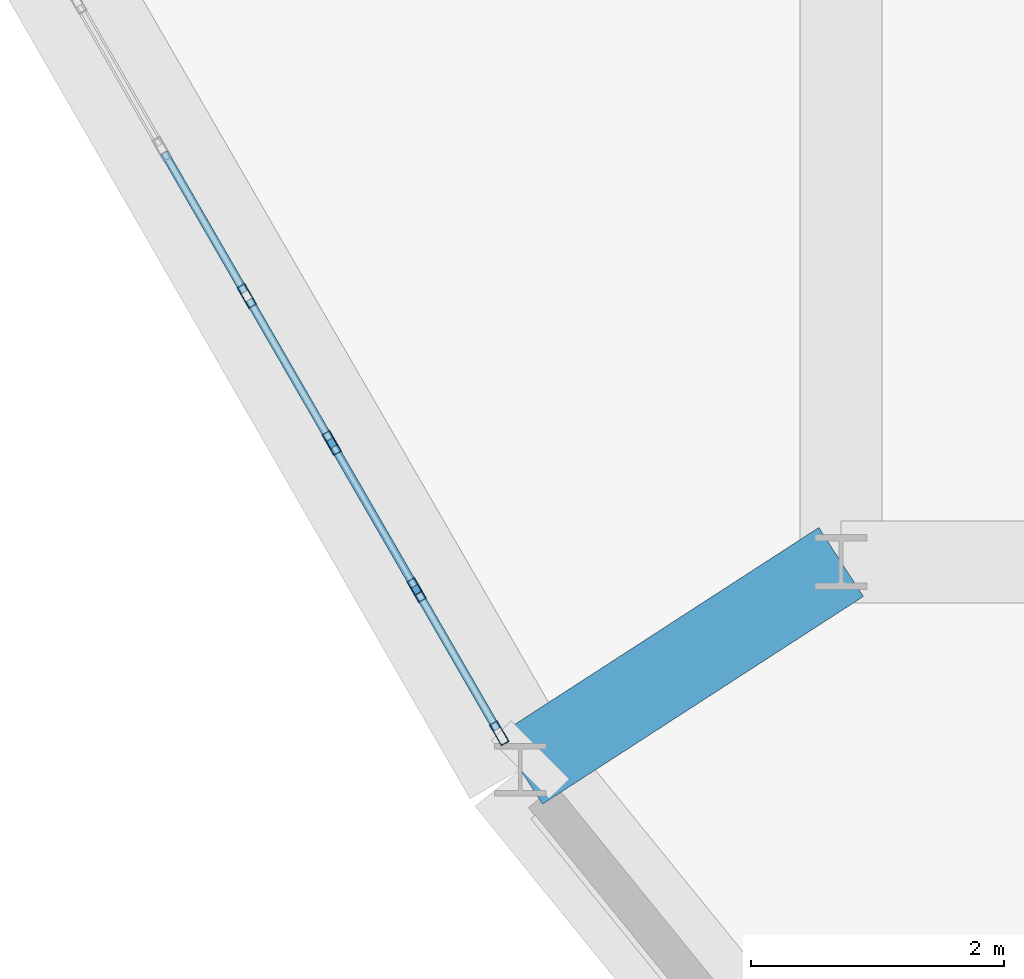
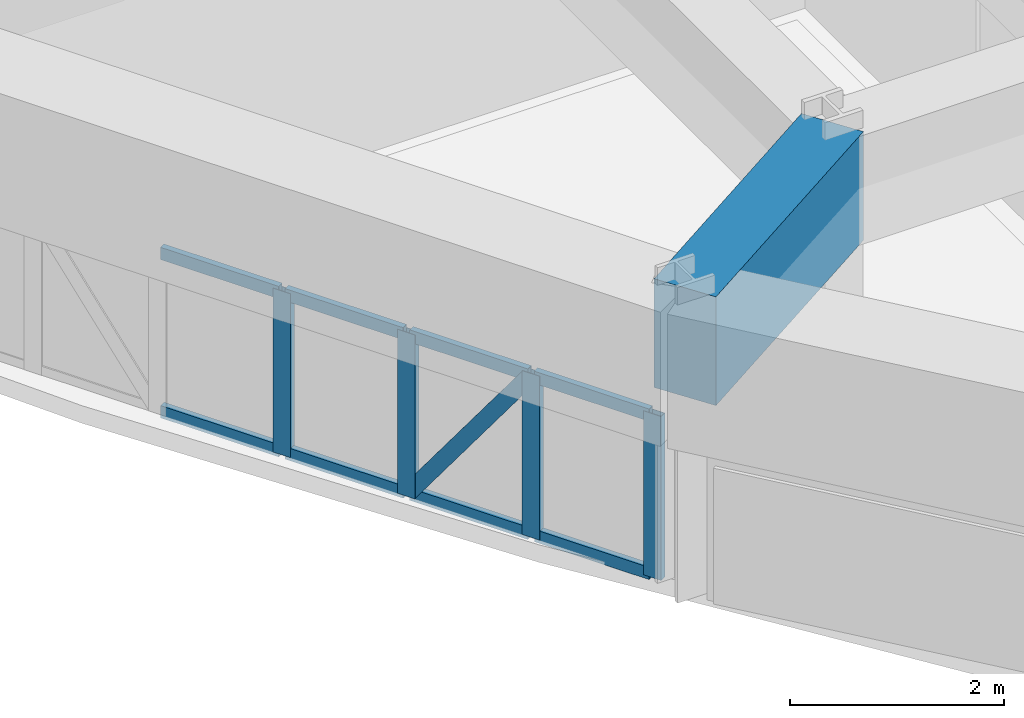
# One storey, part 2 of 14: 13 members, 1 beam, 1 element without a shape of its own.
"""IFC4 building model written with IfcOpenShell, lengths in metres."""

import ifcopenshell
import ifcopenshell.guid

model = None  # the IFC model being written
_history = None  # IfcOwnerHistory: only IFC2X3 demands one
_inside = {}  # id of a spatial element -> (the spatial element, [elements in it])
_under = {}  # id of a project, library or spatial element -> (it, [spatial elements below it])
_declared = {}  # id of a project -> (the project, [libraries it declares])
_typed = {}  # id of a type object -> (the type object, [elements of that type])
_made_of = {}  # id of a material, layer set ... -> (it, [elements and type objects made of it])


def new_model(schema):
    """Start an empty IFC model of exactly this schema.

    Asked for "IFC4X3", IfcOpenShell would pick the latest addendum, in which some entities
    have other attributes; the version numbers below select the first issue.
    IFC2X3 requires an IfcOwnerHistory on every rooted entity: one is made here for all.
    """
    global model, _history
    if schema == "IFC4X3":
        model = ifcopenshell.file(schema_version=(4, 3, 0, 0))
    else:
        model = ifcopenshell.file(schema=schema)
    _inside.clear()
    _under.clear()
    _declared.clear()
    _typed.clear()
    _made_of.clear()
    _history = None
    if model.schema == "IFC2X3":
        org = make("IfcOrganization", Name="unknown")
        user = make(
            "IfcPersonAndOrganization",
            ThePerson=make("IfcPerson", FamilyName="unknown"),
            TheOrganization=org,
        )
        app = make(
            "IfcApplication",
            ApplicationDeveloper=org,
            Version="unknown",
            ApplicationFullName="unknown",
            ApplicationIdentifier="unknown",
        )
        _history = make(
            "IfcOwnerHistory",
            OwningUser=user,
            OwningApplication=app,
            ChangeAction="ADDED",
            CreationDate=0,
        )
    return model


def make(cls, **values):
    """One entity of the class cls with the attributes given. An attribute that is None is left unset."""
    return model.create_entity(
        cls, **{name: value for name, value in values.items() if value is not None}
    )


def rooted(cls, **values):
    """An entity with a GlobalId (a new one), such as an element, a storey or a relation."""
    return make(cls, GlobalId=ifcopenshell.guid.new(), OwnerHistory=_history, **values)


def si_unit(unit_type, name, prefix=None):
    """IfcSIUnit, for example si_unit("LENGTHUNIT", "METRE", prefix="MILLI")."""
    return make("IfcSIUnit", UnitType=unit_type, Prefix=prefix, Name=name)


def derived_unit(unit_type, elements):
    """IfcDerivedUnit: a product of units, each with its exponent."""
    return make(
        "IfcDerivedUnit",
        Elements=[
            make("IfcDerivedUnitElement", Unit=unit, Exponent=power)
            for unit, power in elements
        ],
        UnitType=unit_type,
    )


def assignment(units):
    """IfcUnitAssignment: the units of a project."""
    return None if units is None else make("IfcUnitAssignment", Units=units)


def point(xyz):
    """IfcCartesianPoint."""
    return None if xyz is None else make("IfcCartesianPoint", Coordinates=xyz)


def direction(xyz):
    """IfcDirection."""
    return None if xyz is None else make("IfcDirection", DirectionRatios=xyz)


def frame(location, z_axis=None, x_axis=None):
    """IfcAxis2Placement3D, a coordinate frame: its origin and axes. An axis left out is left unset."""
    return make(
        "IfcAxis2Placement3D",
        Location=point(location),
        Axis=direction(z_axis),
        RefDirection=direction(x_axis),
    )


def frame_2d(location, x_axis=None):
    """IfcAxis2Placement2D, a coordinate frame in the plane: its origin and x axis."""
    return make(
        "IfcAxis2Placement2D", Location=point(location), RefDirection=direction(x_axis)
    )


def origin():
    """The frame at (0, 0, 0) with its axes left unset."""
    return frame((0.0, 0.0, 0.0))


def origin_2d():
    """The frame at (0, 0) in the plane with its x axis left unset."""
    return frame_2d((0.0, 0.0))


def place(relative_to, where):
    """IfcLocalPlacement: puts the frame where relative to a parent placement (None: the world)."""
    return make(
        "IfcLocalPlacement", PlacementRelTo=relative_to, RelativePlacement=where
    )


def context(
    kind, dimensions, precision=None, world=None, true_north=None, identifier=None
):
    """IfcGeometricRepresentationContext, for example the 3D "Model" context."""
    return make(
        "IfcGeometricRepresentationContext",
        ContextIdentifier=identifier,
        ContextType=kind,
        CoordinateSpaceDimension=dimensions,
        Precision=precision,
        WorldCoordinateSystem=world,
        TrueNorth=true_north,
    )


def subcontext(parent, identifier, kind, view, scale=None):
    """IfcGeometricRepresentationSubContext, for example "Body" below "Model"."""
    return make(
        "IfcGeometricRepresentationSubContext",
        ContextIdentifier=identifier,
        ContextType=kind,
        ParentContext=parent,
        TargetScale=scale,
        TargetView=view,
    )


def project(units=None, contexts=None):
    """IfcProject with its units and contexts."""
    return rooted(
        "IfcProject",
        Name="project",
        RepresentationContexts=contexts,
        UnitsInContext=assignment(units),
    )


def spatial(cls, under=None, at=None, **own):
    """A site, building, storey or space (cls), placed at a placement, below another one or the project."""
    s = rooted(cls, ObjectPlacement=at, **own)
    if under is not None:
        _under.setdefault(under.id(), (under, []))[1].append(s)
    return s


def profile(cls, at=None, kind="AREA", **sizes):
    """A parametric profile (cls). Its sizes go by their IFC names, for example OverallWidth=200.0."""
    return make(cls, ProfileType=kind, Position=at, **sizes)


def rectangle(**sizes):
    """IfcRectangleProfileDef."""
    return profile("IfcRectangleProfileDef", **sizes)


def hollow_rectangle(**sizes):
    """IfcRectangleHollowProfileDef."""
    return profile("IfcRectangleHollowProfileDef", **sizes)


def extrude(swept, where, along, depth):
    """IfcExtrudedAreaSolid: the profile swept, set in the frame where, extruded along a direction by depth."""
    return make(
        "IfcExtrudedAreaSolid",
        SweptArea=swept,
        Position=where,
        ExtrudedDirection=direction(along),
        Depth=depth,
    )


def shape(context_of_items, identifier, shape_type, items):
    """IfcShapeRepresentation: the items that make up one representation, for example the "Body"."""
    return make(
        "IfcShapeRepresentation",
        ContextOfItems=context_of_items,
        RepresentationIdentifier=identifier,
        RepresentationType=shape_type,
        Items=items,
    )


def source(mapping_origin, context_of_items, identifier, shape_type, items):
    """IfcRepresentationMap: a shape defined once, which mapped items show again and again."""
    return make(
        "IfcRepresentationMap",
        MappingOrigin=mapping_origin,
        MappedRepresentation=shape(context_of_items, identifier, shape_type, items),
    )


def transform(
    local_origin,
    x_axis=None,
    y_axis=None,
    z_axis=None,
    scale=None,
    scale2=None,
    scale3=None,
    uniform=True,
):
    """IfcCartesianTransformationOperator3D, or its non-uniform kind. x_axis, y_axis, z_axis: its Axis1, 2, 3."""
    if uniform:
        return make(
            "IfcCartesianTransformationOperator3D",
            Axis1=direction(x_axis),
            Axis2=direction(y_axis),
            LocalOrigin=point(local_origin),
            Scale=scale,
            Axis3=direction(z_axis),
        )
    return make(
        "IfcCartesianTransformationOperator3DnonUniform",
        Axis1=direction(x_axis),
        Axis2=direction(y_axis),
        LocalOrigin=point(local_origin),
        Scale=scale,
        Axis3=direction(z_axis),
        Scale2=scale2,
        Scale3=scale3,
    )


def mapped(mapping_source, mapping_target):
    """IfcMappedItem: shows the shape of a source again, moved by a transform."""
    return make(
        "IfcMappedItem", MappingSource=mapping_source, MappingTarget=mapping_target
    )


def material(Name=None, Category=None):
    """IfcMaterial."""
    return make("IfcMaterial", Name=Name, Category=Category)


def layer(
    of_material, thickness, ventilated=None, Name=None, Category=None, Priority=None
):
    """IfcMaterialLayer: one layer of a wall or slab, of a material (None: an air gap)."""
    return make(
        "IfcMaterialLayer",
        Material=of_material,
        LayerThickness=thickness,
        IsVentilated=ventilated,
        Name=Name,
        Category=Category,
        Priority=Priority,
    )


def layer_set(layers, Name=None):
    """IfcMaterialLayerSet."""
    return make("IfcMaterialLayerSet", MaterialLayers=layers, LayerSetName=Name)


def material_profile(
    of_material, cross_section, Name=None, Category=None, Priority=None
):
    """IfcMaterialProfile: a cross section and its material."""
    return make(
        "IfcMaterialProfile",
        Name=Name,
        Material=of_material,
        Profile=cross_section,
        Priority=Priority,
        Category=Category,
    )


def profile_set(profiles, Name=None, composite=None):
    """IfcMaterialProfileSet."""
    return make(
        "IfcMaterialProfileSet",
        Name=Name,
        MaterialProfiles=profiles,
        CompositeProfile=composite,
    )


def made_of(thing, what):
    """Note that an element or type object is made of a material, layer set ...; save() writes the relation."""
    if what is not None:
        _made_of.setdefault(what.id(), (what, []))[1].append(thing)
    return thing


def type_object(cls, material=None, **own):
    """A type object (cls), such as IfcWallType, which elements share."""
    return made_of(rooted(cls, **own), material)


def element(
    cls,
    number,
    at=None,
    inside=None,
    cuts=None,
    type_object=None,
    material=None,
    context=None,
    identifier="Body",
    shape_type=None,
    held_by="IfcProductDefinitionShape",
    body=None,
    shapes=None,
    **own,
):
    """One element of the class cls, such as IfcWall. Its Tag is "e" and its number.

    at: its placement. inside: the storey or other place that contains it. cuts: it is an
    opening in that element (IfcRelVoidsElement). A single representation is given by context,
    identifier, shape_type and body (its items); several are given by shapes. held_by: the class
    of the entity that holds the representations. save() writes the other relations.
    """
    e = rooted(cls, Tag="e%d" % number, ObjectPlacement=at, **own)
    if body is not None:
        shapes = [shape(context, identifier, shape_type, body)]
    if shapes is not None:
        e.Representation = make(held_by, Representations=shapes)
    if inside is not None:
        _inside.setdefault(inside.id(), (inside, []))[1].append(e)
    if cuts is not None:
        rooted(
            "IfcRelVoidsElement", RelatingBuildingElement=cuts, RelatedOpeningElement=e
        )
    if type_object is not None:
        _typed.setdefault(type_object.id(), (type_object, []))[1].append(e)
    return made_of(e, material)


def aggregate(whole, parts):
    """IfcRelAggregates: a whole, such as a stair, and the parts it consists of."""
    return rooted("IfcRelAggregates", RelatingObject=whole, RelatedObjects=parts)


def save(model, path):
    """Write the relations noted so far, then the file.

    IfcRelAggregates (storeys below a building ...), IfcRelContainedInSpatialStructure (elements
    in a storey), IfcRelDefinesByType, IfcRelAssociatesMaterial and IfcRelDeclares: one each for
    every whole, place, type object, material and project.
    """
    for whole, parts in _under.values():
        aggregate(whole, parts)
    for where, things in _inside.values():
        rooted(
            "IfcRelContainedInSpatialStructure",
            RelatedElements=things,
            RelatingStructure=where,
        )
    for kind, things in _typed.values():
        rooted("IfcRelDefinesByType", RelatedObjects=things, RelatingType=kind)
    for what, things in _made_of.values():
        rooted("IfcRelAssociatesMaterial", RelatedObjects=things, RelatingMaterial=what)
    for by, libraries in _declared.values():
        rooted("IfcRelDeclares", RelatingContext=by, RelatedDefinitions=libraries)
    model.write(path)


model = new_model("IFC4")

# Units and contexts
model_context = context("Model", 3, precision=1e-05, world=origin(), true_north=direction((0.0, 1.0)))
body_context = subcontext(model_context, "Body", "Model", "MODEL_VIEW")
ifc_project = project(units=[si_unit("LENGTHUNIT", "METRE"), si_unit("AREAUNIT", "SQUARE_METRE"), si_unit("VOLUMEUNIT", "CUBIC_METRE"), si_unit("PLANEANGLEUNIT", "RADIAN"), si_unit("MASSUNIT", "GRAM", prefix="KILO"), derived_unit("THERMALTRANSMITTANCEUNIT", [(si_unit("POWERUNIT", "WATT"), 1), (si_unit("LENGTHUNIT", "METRE"), -2), (si_unit("THERMODYNAMICTEMPERATUREUNIT", "KELVIN"), -1)])], contexts=[model_context])

# Site, building, storey
site_placement = place(None, origin())
site = spatial("IfcSite", under=ifc_project, at=site_placement, CompositionType="ELEMENT")
building_placement = place(site_placement, origin())
building = spatial("IfcBuilding", under=site, at=building_placement, Name="Korsvarv Bourse and Concert Hall", CompositionType="ELEMENT")
storey_placement = place(building_placement, frame((0.0, 0.0, 175.800048828125)))
storey = spatial("IfcBuildingStorey", under=building, at=storey_placement, Name="L45", CompositionType="ELEMENT", Elevation=175.800048828125)

# Beam
ifc_material_1 = material(Name="Concrete C50/60", Category="concrete")
ifc_material_profile_1 = material_profile(ifc_material_1, rectangle(XDim=0.64990234375, YDim=1.239990234375, at=origin_2d()), Name="RC-BM 650x1240")
ifc_profile_set_1 = profile_set([ifc_material_profile_1], Name="Concrete C50/60")
beam_type = type_object("IfcBeamType", Name="BM-TR-SPN", PredefinedType="BEAM", material=ifc_profile_set_1)
shared_shape_1 = source(origin(), body_context, "Body", "SweptSolid", [
    extrude(rectangle(XDim=0.64990234375, YDim=1.239990234375, at=origin_2d()), origin(), (0.0, 0.0, 1.0), 3.025390625),
])
beam_placement = place(storey_placement, frame((25.060302734375, 22.356201171875, 2.780029296875), z_axis=(0.839509529418, 0.543344964104, 0.0), x_axis=(-0.543344964104, 0.839509529418, 0.0)))
element("IfcBeam", 1, at=beam_placement, inside=storey, type_object=beam_type, Name="L45 beam B-TRS", PredefinedType="BEAM", context=body_context, shape_type="MappedRepresentation", body=[
    mapped(shared_shape_1, transform((0.0, 0.0, 0.0), scale=1.0)),
])

# Curtain wall, members
ifc_material_2 = material(Name="Anodised aluminium and triple low-E glazing", Category="glass")
ifc_layer = layer(ifc_material_2, 0.199951171875)
ifc_layer_set = layer_set([ifc_layer], Name="Anodised aluminium and triple low-E glazing")
curtain_wall_type = type_object("IfcCurtainWallType", Name="CW-SYS-3", PredefinedType="NOTDEFINED", material=ifc_layer_set)
curtain_wall_placement = place(storey_placement, origin())
curtain_wall = element("IfcCurtainWall", 2, at=curtain_wall_placement, inside=storey, type_object=curtain_wall_type, Name="L45 CW3 curtain wall CW-L45-F07", PredefinedType="NOTDEFINED")
ifc_material_3 = material(Name="Extruded aluminium EN AW-6063 T66", Category="aluminium")
ifc_material_profile_2 = material_profile(ifc_material_3, hollow_rectangle(XDim=0.070068359375, YDim=0.18994140625, WallThickness=0.0048828125, at=origin_2d()), Name="ALU-M 70x190")
ifc_profile_set_2 = profile_set([ifc_material_profile_2], Name="Extruded aluminium EN AW-6063 T66")
member_type_1 = type_object("IfcMemberType", Name="CWM-190", PredefinedType="MULLION", material=ifc_profile_set_2)
shared_shape_2 = source(origin(), body_context, "Body", "SweptSolid", [
    extrude(hollow_rectangle(XDim=0.070068359375, YDim=0.18994140625, WallThickness=0.0048828125, at=origin_2d()), origin(), (0.0, 0.0, 1.0), 1.869873046875),
])
member_1_placement = place(storey_placement, frame((22.8955078125, 26.106201171875, 0.0), z_axis=(0.0, 0.0, 1.0), x_axis=(0.866028642731, 0.499994389938, 0.0)))
member_1 = element("IfcMember", 3, at=member_1_placement, type_object=member_type_1, Name="CW3 mullion 7", PredefinedType="MULLION", context=body_context, shape_type="MappedRepresentation", body=[
    mapped(shared_shape_2, transform((0.0, 0.0, 0.0), scale=1.0)),
])
member_2_placement = place(storey_placement, frame((23.5673828125, 24.942138671875, 0.0), z_axis=(0.0, 0.0, 1.0), x_axis=(0.866028642731, 0.499994389938, 0.0)))
member_2 = element("IfcMember", 4, at=member_2_placement, type_object=member_type_1, Name="CW3 mullion 8", PredefinedType="MULLION", context=body_context, shape_type="MappedRepresentation", body=[
    mapped(shared_shape_2, transform((0.0, 0.0, 0.0), scale=1.0)),
])
member_3_placement = place(storey_placement, frame((24.239501953125, 23.7783203125, 0.0), z_axis=(0.0, 0.0, 1.0), x_axis=(0.866028642731, 0.499994389938, 0.0)))
member_3 = element("IfcMember", 5, at=member_3_placement, type_object=member_type_1, Name="CW3 mullion 9", PredefinedType="MULLION", context=body_context, shape_type="MappedRepresentation", body=[
    mapped(shared_shape_2, transform((0.0, 0.0, 0.0), scale=1.0)),
])
member_4_placement = place(storey_placement, frame((24.893798828125, 22.64453125, 0.0), z_axis=(0.0, 0.0, 1.0), x_axis=(0.866028642731, 0.499994389938, 0.0)))
member_4 = element("IfcMember", 6, at=member_4_placement, type_object=member_type_1, Name="CW3 mullion 10", PredefinedType="MULLION", context=body_context, shape_type="MappedRepresentation", body=[
    mapped(shared_shape_2, transform((0.0, 0.0, 0.0), scale=1.0)),
])
ifc_material_profile_3 = material_profile(ifc_material_3, hollow_rectangle(XDim=0.06494140625, YDim=0.139892578125, WallThickness=0.00390625, at=origin_2d()), Name="ALU-T 65x140")
ifc_profile_set_3 = profile_set([ifc_material_profile_3], Name="Extruded aluminium EN AW-6063 T66")
member_type_2 = type_object("IfcMemberType", Name="CWT-140", PredefinedType="USERDEFINED", material=ifc_profile_set_3)
shared_shape_3 = source(origin(), body_context, "Body", "SweptSolid", [
    extrude(hollow_rectangle(XDim=0.06494140625, YDim=0.139892578125, WallThickness=0.00390625, at=origin_2d()), origin(), (0.0, 0.0, 1.0), 1.274169921875),
])
member_5_placement = place(storey_placement, frame((22.912841796875, 26.075927734375, 0.032470703125), z_axis=(0.499910436417, -0.866077107169, 0.0), x_axis=(0.866077107169, 0.499910436417, 0.0)))
member_5 = element("IfcMember", 7, at=member_5_placement, type_object=member_type_2, Name="CW3 transom 7.1", ObjectType="TRANSOM", PredefinedType="USERDEFINED", context=body_context, shape_type="MappedRepresentation", body=[
    mapped(shared_shape_3, transform((0.0, 0.0, 0.0), scale=1.0)),
])
member_6_placement = place(storey_placement, frame((22.912841796875, 26.075927734375, 1.83740234375), z_axis=(0.499910436417, -0.866077107169, 0.0), x_axis=(0.866077107169, 0.499910436417, 0.0)))
member_6 = element("IfcMember", 8, at=member_6_placement, type_object=member_type_2, Name="CW3 transom 7.2", ObjectType="TRANSOM", PredefinedType="USERDEFINED", context=body_context, shape_type="MappedRepresentation", body=[
    mapped(shared_shape_3, transform((0.0, 0.0, 0.0), scale=1.0)),
])
shared_shape_4 = source(origin(), body_context, "Body", "SweptSolid", [
    extrude(hollow_rectangle(XDim=0.06494140625, YDim=0.139892578125, WallThickness=0.00390625, at=origin_2d()), origin(), (0.0, 0.0, 1.0), 1.27392578125),
])
member_7_placement = place(storey_placement, frame((22.240966796875, 27.23974609375, 0.032470703125), z_axis=(0.499993407537, -0.866029209911, 0.0), x_axis=(0.866029209911, 0.499993407537, 0.0)))
member_7 = element("IfcMember", 9, at=member_7_placement, type_object=member_type_2, Name="CW3 transom 6.1", ObjectType="TRANSOM", PredefinedType="USERDEFINED", context=body_context, shape_type="MappedRepresentation", body=[
    mapped(shared_shape_4, transform((0.0, 0.0, 0.0), scale=1.0)),
])
member_8_placement = place(storey_placement, frame((22.240966796875, 27.23974609375, 1.83740234375), z_axis=(0.499993407537, -0.866029209911, 0.0), x_axis=(0.866029209911, 0.499993407537, 0.0)))
member_8 = element("IfcMember", 10, at=member_8_placement, type_object=member_type_2, Name="CW3 transom 6.2", ObjectType="TRANSOM", PredefinedType="USERDEFINED", context=body_context, shape_type="MappedRepresentation", body=[
    mapped(shared_shape_4, transform((0.0, 0.0, 0.0), scale=1.0)),
])
member_9_placement = place(storey_placement, frame((23.5849609375, 24.911865234375, 0.032470703125), z_axis=(0.499993407537, -0.866029209911, 0.0), x_axis=(0.866029209911, 0.499993407537, 0.0)))
member_9 = element("IfcMember", 11, at=member_9_placement, type_object=member_type_2, Name="CW3 transom 8.1", ObjectType="TRANSOM", PredefinedType="USERDEFINED", context=body_context, shape_type="MappedRepresentation", body=[
    mapped(shared_shape_4, transform((0.0, 0.0, 0.0), scale=1.0)),
])
member_10_placement = place(storey_placement, frame((23.5849609375, 24.911865234375, 1.83740234375), z_axis=(0.499993407537, -0.866029209911, 0.0), x_axis=(0.866029209911, 0.499993407537, 0.0)))
member_10 = element("IfcMember", 12, at=member_10_placement, type_object=member_type_2, Name="CW3 transom 8.2", ObjectType="TRANSOM", PredefinedType="USERDEFINED", context=body_context, shape_type="MappedRepresentation", body=[
    mapped(shared_shape_4, transform((0.0, 0.0, 0.0), scale=1.0)),
])
ifc_material_profile_4 = material_profile(ifc_material_3, hollow_rectangle(XDim=0.06494140625, YDim=0.1650390625, WallThickness=0.0048828125, at=origin_2d()), Name="ALU-M 65x165")
ifc_profile_set_4 = profile_set([ifc_material_profile_4], Name="Extruded aluminium EN AW-6063 T66")
member_type_3 = type_object("IfcMemberType", Name="CWM-165", PredefinedType="MULLION", material=ifc_profile_set_4)
shared_shape_5 = source(origin(), body_context, "Body", "SweptSolid", [
    extrude(hollow_rectangle(XDim=0.06494140625, YDim=0.1650390625, WallThickness=0.0048828125, at=origin_2d()), origin(), (0.0, 0.0, 1.0), 2.156494140625),
])
member_11_placement = place(storey_placement, frame((23.5849609375, 24.911865234375, 0.06494140625), z_axis=(0.295368724234, -0.511602631205, 0.806858143969), x_axis=(0.866029209911, 0.499993407537, 0.0)))
member_11 = element("IfcMember", 13, at=member_11_placement, type_object=member_type_3, Name="CW3 diagonal mullion 8", PredefinedType="MULLION", context=body_context, shape_type="MappedRepresentation", body=[
    mapped(shared_shape_5, transform((0.0, 0.0, 0.0), scale=1.0)),
])
shared_shape_6 = source(origin(), body_context, "Body", "SweptSolid", [
    extrude(hollow_rectangle(XDim=0.06494140625, YDim=0.139892578125, WallThickness=0.00390625, at=origin_2d()), origin(), (0.0, 0.0, 1.0), 1.2392578125),
])
member_12_placement = place(storey_placement, frame((24.2568359375, 23.748046875, 0.032470703125), z_axis=(0.499995303914, -0.866028115054, 0.0), x_axis=(0.866028115054, 0.499995303914, 0.0)))
member_12 = element("IfcMember", 14, at=member_12_placement, type_object=member_type_2, Name="CW3 transom 9.1", ObjectType="TRANSOM", PredefinedType="USERDEFINED", context=body_context, shape_type="MappedRepresentation", body=[
    mapped(shared_shape_6, transform((0.0, 0.0, 0.0), scale=1.0)),
])
member_13_placement = place(storey_placement, frame((24.2568359375, 23.748046875, 1.83740234375), z_axis=(0.499995303914, -0.866028115054, 0.0), x_axis=(0.866028115054, 0.499995303914, 0.0)))
member_13 = element("IfcMember", 15, at=member_13_placement, type_object=member_type_2, Name="CW3 transom 9.2", ObjectType="TRANSOM", PredefinedType="USERDEFINED", context=body_context, shape_type="MappedRepresentation", body=[
    mapped(shared_shape_6, transform((0.0, 0.0, 0.0), scale=1.0)),
])
aggregate(curtain_wall, [member_1, member_2, member_3, member_4, member_7, member_8, member_5, member_6, member_9, member_10, member_11, member_12, member_13])

save(model, "model.ifc")
